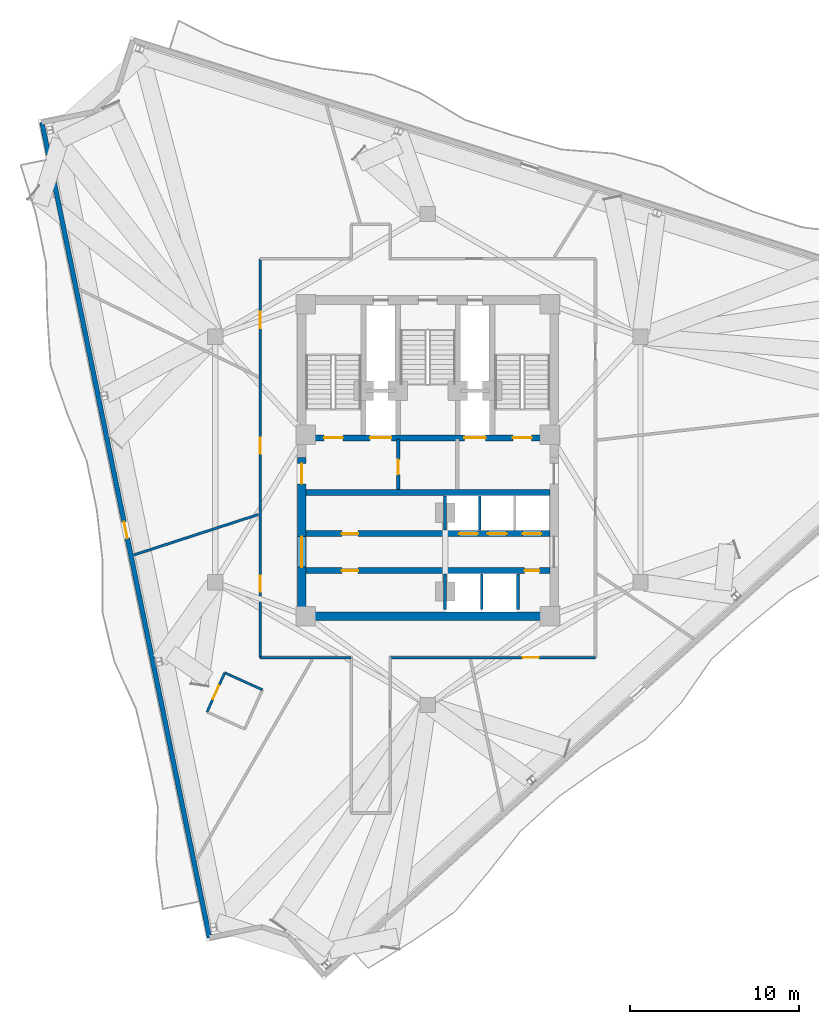
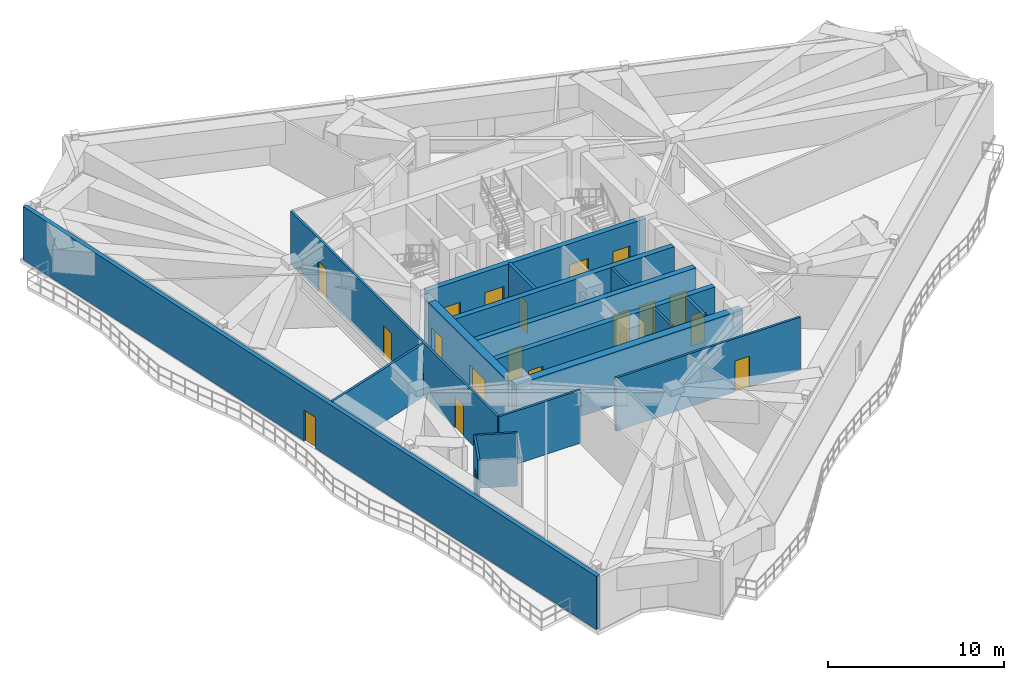
# One storey, part 6 of 12: 19 doors, 19 walls, 19 openings.
"""IFC4 building model written with IfcOpenShell, lengths in metres."""

import ifcopenshell
import ifcopenshell.guid

model = None  # the IFC model being written
_history = None  # IfcOwnerHistory: only IFC2X3 demands one
_inside = {}  # id of a spatial element -> (the spatial element, [elements in it])
_under = {}  # id of a project, library or spatial element -> (it, [spatial elements below it])
_declared = {}  # id of a project -> (the project, [libraries it declares])
_typed = {}  # id of a type object -> (the type object, [elements of that type])
_made_of = {}  # id of a material, layer set ... -> (it, [elements and type objects made of it])


def new_model(schema):
    """Start an empty IFC model of exactly this schema.

    Asked for "IFC4X3", IfcOpenShell would pick the latest addendum, in which some entities
    have other attributes; the version numbers below select the first issue.
    IFC2X3 requires an IfcOwnerHistory on every rooted entity: one is made here for all.
    """
    global model, _history
    if schema == "IFC4X3":
        model = ifcopenshell.file(schema_version=(4, 3, 0, 0))
    else:
        model = ifcopenshell.file(schema=schema)
    _inside.clear()
    _under.clear()
    _declared.clear()
    _typed.clear()
    _made_of.clear()
    _history = None
    if model.schema == "IFC2X3":
        org = make("IfcOrganization", Name="unknown")
        user = make(
            "IfcPersonAndOrganization",
            ThePerson=make("IfcPerson", FamilyName="unknown"),
            TheOrganization=org,
        )
        app = make(
            "IfcApplication",
            ApplicationDeveloper=org,
            Version="unknown",
            ApplicationFullName="unknown",
            ApplicationIdentifier="unknown",
        )
        _history = make(
            "IfcOwnerHistory",
            OwningUser=user,
            OwningApplication=app,
            ChangeAction="ADDED",
            CreationDate=0,
        )
    return model


def make(cls, **values):
    """One entity of the class cls with the attributes given. An attribute that is None is left unset."""
    return model.create_entity(
        cls, **{name: value for name, value in values.items() if value is not None}
    )


def rooted(cls, **values):
    """An entity with a GlobalId (a new one), such as an element, a storey or a relation."""
    return make(cls, GlobalId=ifcopenshell.guid.new(), OwnerHistory=_history, **values)


def si_unit(unit_type, name, prefix=None):
    """IfcSIUnit, for example si_unit("LENGTHUNIT", "METRE", prefix="MILLI")."""
    return make("IfcSIUnit", UnitType=unit_type, Prefix=prefix, Name=name)


def assignment(units):
    """IfcUnitAssignment: the units of a project."""
    return None if units is None else make("IfcUnitAssignment", Units=units)


def point(xyz):
    """IfcCartesianPoint."""
    return None if xyz is None else make("IfcCartesianPoint", Coordinates=xyz)


def direction(xyz):
    """IfcDirection."""
    return None if xyz is None else make("IfcDirection", DirectionRatios=xyz)


def frame(location, z_axis=None, x_axis=None):
    """IfcAxis2Placement3D, a coordinate frame: its origin and axes. An axis left out is left unset."""
    return make(
        "IfcAxis2Placement3D",
        Location=point(location),
        Axis=direction(z_axis),
        RefDirection=direction(x_axis),
    )


def frame_2d(location, x_axis=None):
    """IfcAxis2Placement2D, a coordinate frame in the plane: its origin and x axis."""
    return make(
        "IfcAxis2Placement2D", Location=point(location), RefDirection=direction(x_axis)
    )


def origin():
    """The frame at (0, 0, 0) with its axes left unset."""
    return frame((0.0, 0.0, 0.0))


def place(relative_to, where):
    """IfcLocalPlacement: puts the frame where relative to a parent placement (None: the world)."""
    return make(
        "IfcLocalPlacement", PlacementRelTo=relative_to, RelativePlacement=where
    )


def context(
    kind, dimensions, precision=None, world=None, true_north=None, identifier=None
):
    """IfcGeometricRepresentationContext, for example the 3D "Model" context."""
    return make(
        "IfcGeometricRepresentationContext",
        ContextIdentifier=identifier,
        ContextType=kind,
        CoordinateSpaceDimension=dimensions,
        Precision=precision,
        WorldCoordinateSystem=world,
        TrueNorth=true_north,
    )


def subcontext(parent, identifier, kind, view, scale=None):
    """IfcGeometricRepresentationSubContext, for example "Body" below "Model"."""
    return make(
        "IfcGeometricRepresentationSubContext",
        ContextIdentifier=identifier,
        ContextType=kind,
        ParentContext=parent,
        TargetScale=scale,
        TargetView=view,
    )


def project(units=None, contexts=None):
    """IfcProject with its units and contexts."""
    return rooted(
        "IfcProject",
        Name="project",
        RepresentationContexts=contexts,
        UnitsInContext=assignment(units),
    )


def spatial(cls, under=None, at=None, **own):
    """A site, building, storey or space (cls), placed at a placement, below another one or the project."""
    s = rooted(cls, ObjectPlacement=at, **own)
    if under is not None:
        _under.setdefault(under.id(), (under, []))[1].append(s)
    return s


def profile(cls, at=None, kind="AREA", **sizes):
    """A parametric profile (cls). Its sizes go by their IFC names, for example OverallWidth=200.0."""
    return make(cls, ProfileType=kind, Position=at, **sizes)


def rectangle(**sizes):
    """IfcRectangleProfileDef."""
    return profile("IfcRectangleProfileDef", **sizes)


def extrude(swept, where, along, depth):
    """IfcExtrudedAreaSolid: the profile swept, set in the frame where, extruded along a direction by depth."""
    return make(
        "IfcExtrudedAreaSolid",
        SweptArea=swept,
        Position=where,
        ExtrudedDirection=direction(along),
        Depth=depth,
    )


def shape(context_of_items, identifier, shape_type, items):
    """IfcShapeRepresentation: the items that make up one representation, for example the "Body"."""
    return make(
        "IfcShapeRepresentation",
        ContextOfItems=context_of_items,
        RepresentationIdentifier=identifier,
        RepresentationType=shape_type,
        Items=items,
    )


def material(Name=None, Category=None):
    """IfcMaterial."""
    return make("IfcMaterial", Name=Name, Category=Category)


def layer(
    of_material, thickness, ventilated=None, Name=None, Category=None, Priority=None
):
    """IfcMaterialLayer: one layer of a wall or slab, of a material (None: an air gap)."""
    return make(
        "IfcMaterialLayer",
        Material=of_material,
        LayerThickness=thickness,
        IsVentilated=ventilated,
        Name=Name,
        Category=Category,
        Priority=Priority,
    )


def layer_set(layers, Name=None):
    """IfcMaterialLayerSet."""
    return make("IfcMaterialLayerSet", MaterialLayers=layers, LayerSetName=Name)


def made_of(thing, what):
    """Note that an element or type object is made of a material, layer set ...; save() writes the relation."""
    if what is not None:
        _made_of.setdefault(what.id(), (what, []))[1].append(thing)
    return thing


def type_object(cls, material=None, **own):
    """A type object (cls), such as IfcWallType, which elements share."""
    return made_of(rooted(cls, **own), material)


def element(
    cls,
    number,
    at=None,
    inside=None,
    cuts=None,
    type_object=None,
    material=None,
    context=None,
    identifier="Body",
    shape_type=None,
    held_by="IfcProductDefinitionShape",
    body=None,
    shapes=None,
    **own,
):
    """One element of the class cls, such as IfcWall. Its Tag is "e" and its number.

    at: its placement. inside: the storey or other place that contains it. cuts: it is an
    opening in that element (IfcRelVoidsElement). A single representation is given by context,
    identifier, shape_type and body (its items); several are given by shapes. held_by: the class
    of the entity that holds the representations. save() writes the other relations.
    """
    e = rooted(cls, Tag="e%d" % number, ObjectPlacement=at, **own)
    if body is not None:
        shapes = [shape(context, identifier, shape_type, body)]
    if shapes is not None:
        e.Representation = make(held_by, Representations=shapes)
    if inside is not None:
        _inside.setdefault(inside.id(), (inside, []))[1].append(e)
    if cuts is not None:
        rooted(
            "IfcRelVoidsElement", RelatingBuildingElement=cuts, RelatedOpeningElement=e
        )
    if type_object is not None:
        _typed.setdefault(type_object.id(), (type_object, []))[1].append(e)
    return made_of(e, material)


def fill(opening, filler):
    """IfcRelFillsElement: the door or window that sits in an opening."""
    return rooted(
        "IfcRelFillsElement",
        RelatingOpeningElement=opening,
        RelatedBuildingElement=filler,
    )


def aggregate(whole, parts):
    """IfcRelAggregates: a whole, such as a stair, and the parts it consists of."""
    return rooted("IfcRelAggregates", RelatingObject=whole, RelatedObjects=parts)


def save(model, path):
    """Write the relations noted so far, then the file.

    IfcRelAggregates (storeys below a building ...), IfcRelContainedInSpatialStructure (elements
    in a storey), IfcRelDefinesByType, IfcRelAssociatesMaterial and IfcRelDeclares: one each for
    every whole, place, type object, material and project.
    """
    for whole, parts in _under.values():
        aggregate(whole, parts)
    for where, things in _inside.values():
        rooted(
            "IfcRelContainedInSpatialStructure",
            RelatedElements=things,
            RelatingStructure=where,
        )
    for kind, things in _typed.values():
        rooted("IfcRelDefinesByType", RelatedObjects=things, RelatingType=kind)
    for what, things in _made_of.values():
        rooted("IfcRelAssociatesMaterial", RelatedObjects=things, RelatingMaterial=what)
    for by, libraries in _declared.values():
        rooted("IfcRelDeclares", RelatingContext=by, RelatedDefinitions=libraries)
    model.write(path)


model = new_model("IFC4")

# Units and contexts
model_context = context("Model", 3, precision=1e-05, world=origin(), true_north=direction((0.0, 1.0)))
body_context = subcontext(model_context, "Body", "Model", "MODEL_VIEW")
ifc_project = project(units=[si_unit("LENGTHUNIT", "METRE"), si_unit("AREAUNIT", "SQUARE_METRE"), si_unit("VOLUMEUNIT", "CUBIC_METRE"), si_unit("PLANEANGLEUNIT", "RADIAN"), si_unit("MASSUNIT", "GRAM", prefix="KILO")], contexts=[model_context])

# Site, building, storey
site_placement = place(None, origin())
site = spatial("IfcSite", under=ifc_project, at=site_placement, CompositionType="ELEMENT")
building_placement = place(site_placement, origin())
building = spatial("IfcBuilding", under=site, at=building_placement, Name="Apsidion Concourse Tower", CompositionType="ELEMENT")
storey_placement = place(building_placement, frame((0.0, 0.0, 256.800048828125)))
storey = spatial("IfcBuildingStorey", under=building, at=storey_placement, Name="L60", CompositionType="ELEMENT", Elevation=256.800048828125)

# Wall, opening, door
ifc_material_1 = material(Name="Precast concrete C40/50", Category="concrete")
ifc_layer_1 = layer(ifc_material_1, 0.280029296875)
ifc_layer_set_1 = layer_set([ifc_layer_1], Name="Precast concrete C40/50")
wall_type_1 = type_object("IfcWallType", Name="WL-EXT-280", PredefinedType="STANDARD", material=ifc_layer_set_1)
wall_1_placement = place(storey_placement, frame((-12.893310546875, -28.2392578125, 0.0), z_axis=(0.0, 0.0, 1.0), x_axis=(-0.201426823496, 0.979503565474, 0.0)))
wall_1 = element("IfcWall", 1, at=wall_1_placement, inside=storey, type_object=wall_type_1, Name="L60 Precast Stone Facade Wall 09", PredefinedType="STANDARD", context=body_context, shape_type="SweptSolid", body=[
    extrude(rectangle(XDim=49.145263671875, YDim=0.280029296875, at=frame_2d((24.57275390625, 0.0))), origin(), (0.0, 0.0, 1.0), 3.699951171875),
])
opening_1_placement = place(wall_1_placement, frame((24.072509765625, 0.0, 0.0)))
opening_1 = element("IfcOpeningElement", 2, at=opening_1_placement, cuts=wall_1, Name="Opening D-T1L", PredefinedType="OPENING", context=body_context, shape_type="SweptSolid", body=[
    extrude(rectangle(XDim=1.0, YDim=2.14990234375, at=frame_2d((0.5, 1.074951171875))), frame((0.0, 0.14990234375, 0.0), z_axis=(0.0, -1.0, 0.0), x_axis=(1.0, 0.0, 0.0)), (0.0, 0.0, 1.0), 0.300048828125),
])
ifc_material_2 = material(Name="Anodised aluminium EN AW-6063 T6", Category="aluminium")
door_type_1 = type_object("IfcDoorType", Name="DR-TER-1022L", OperationType="SINGLE_SWING_LEFT", PredefinedType="DOOR", material=ifc_material_2)
door_1_placement = place(opening_1_placement, origin())
door_1 = element("IfcDoor", 3, at=door_1_placement, inside=storey, type_object=door_type_1, Name="L60 Balcony Access Door 1", OperationType="SINGLE_SWING_LEFT", OverallHeight=2.14990234375, OverallWidth=1.0, PredefinedType="DOOR", context=body_context, shape_type="SweptSolid", body=[
    extrude(rectangle(XDim=1.0, YDim=2.14990234375, at=frame_2d((0.5, 1.074951171875))), frame((0.0, 0.02490234375, 0.0), z_axis=(0.0, -1.0, 0.0), x_axis=(1.0, 0.0, 0.0)), (0.0, 0.0, 1.0), 0.050048828125),
])
fill(opening_1, door_1)

ifc_material_3 = material(Name="Gypsum plasterboard partition")
ifc_layer_2 = layer(ifc_material_3, 0.139892578125)
ifc_layer_set_2 = layer_set([ifc_layer_2], Name="Gypsum plasterboard partition")
wall_type_2 = type_object("IfcWallType", Name="WL-INT-PAR-140", PredefinedType="PARTITIONING", material=ifc_layer_set_2)
wall_2_placement = place(storey_placement, frame((-11.9951171875, -12.599609375, 0.0), z_axis=(0.0, 0.0, 1.0), x_axis=(-0.41149143055, -0.911413628702, 0.0)))
wall_2 = element("IfcWall", 4, at=wall_2_placement, inside=storey, type_object=wall_type_2, Name="L60 Interior Partition WL-L60-POD-OFAWC-S1", PredefinedType="PARTITIONING", context=body_context, shape_type="SweptSolid", body=[
    extrude(rectangle(XDim=2.5400390625, YDim=0.139892578125, at=frame_2d((1.27001953125, 0.0))), origin(), (0.0, 0.0, 1.0), 3.699951171875),
])
opening_2_placement = place(wall_2_placement, frame((0.830078125, 0.0, 0.0)))
opening_2 = element("IfcOpeningElement", 5, at=opening_2_placement, cuts=wall_2, Name="Opening D-03R", PredefinedType="OPENING", context=body_context, shape_type="SweptSolid", body=[
    extrude(rectangle(XDim=0.8798828125, YDim=2.10009765625, at=frame_2d((0.43994140625, 1.050048828125))), frame((0.0, 0.080078125, 0.0), z_axis=(0.0, -1.0, 0.0), x_axis=(1.0, 0.0, 0.0)), (0.0, 0.0, 1.0), 0.159912109375),
])
door_type_2 = type_object("IfcDoorType", Name="DR-INT-D03R", OperationType="SINGLE_SWING_RIGHT", PredefinedType="DOOR", material=ifc_material_2)
door_2_placement = place(opening_2_placement, origin())
door_2 = element("IfcDoor", 6, at=door_2_placement, inside=storey, type_object=door_type_2, Name="L60 Office Accessible WC Door OFAWC", OperationType="SINGLE_SWING_RIGHT", OverallHeight=2.10009765625, OverallWidth=0.8798828125, PredefinedType="DOOR", context=body_context, shape_type="SweptSolid", body=[
    extrude(rectangle(XDim=0.8798828125, YDim=2.10009765625, at=frame_2d((0.43994140625, 1.050048828125))), frame((0.0, 0.02490234375, 0.0), z_axis=(0.0, -1.0, 0.0), x_axis=(1.0, 0.0, 0.0)), (0.0, 0.0, 1.0), 0.050048828125),
])
fill(opening_2, door_2)

# Walls
wall_3_placement = place(storey_placement, frame((-9.771240234375, -13.603759765625, 0.0), z_axis=(0.0, 0.0, 1.0), x_axis=(-0.911398443398, 0.411525062872, 0.0)))
element("IfcWall", 7, at=wall_3_placement, inside=storey, type_object=wall_type_2, Name="L60 Interior Partition WL-L60-POD-OFAWC-S4", PredefinedType="PARTITIONING", context=body_context, shape_type="SweptSolid", body=[
    extrude(rectangle(XDim=2.440185546875, YDim=0.139892578125, at=frame_2d((1.22021484375, 0.0))), origin(), (0.0, 0.0, 1.0), 3.699951171875),
])
ifc_layer_3 = layer(ifc_material_3, 0.14990234375)
ifc_layer_set_3 = layer_set([ifc_layer_3], Name="Gypsum plasterboard partition")
wall_type_3 = type_object("IfcWallType", Name="WL-INT-PAR-150", PredefinedType="PARTITIONING", material=ifc_layer_set_3)
wall_4_placement = place(storey_placement, frame((3.074951171875, -4.179931640625, 0.0), z_axis=(0.0, 0.0, 1.0), x_axis=(0.0, 1.0, 0.0)))
element("IfcWall", 8, at=wall_4_placement, inside=storey, type_object=wall_type_3, Name="L60 Interior Partition WL-L60-B3DIV-1", PredefinedType="PARTITIONING", context=body_context, shape_type="SweptSolid", body=[
    extrude(rectangle(XDim=2.030029296875, YDim=0.14990234375, at=frame_2d((1.01513671875, 0.0))), origin(), (0.0, 0.0, 1.0), 3.699951171875),
])
wall_5_placement = place(storey_placement, frame((3.175048828125, -8.85009765625, 0.0), z_axis=(0.0, 0.0, 1.0), x_axis=(0.0, 1.0, 0.0)))
element("IfcWall", 9, at=wall_5_placement, inside=storey, type_object=wall_type_3, Name="L60 Interior Partition WL-L60-SHDIV-1", PredefinedType="PARTITIONING", context=body_context, shape_type="SweptSolid", body=[
    extrude(rectangle(XDim=2.080078125, YDim=0.14990234375, at=frame_2d((1.0400390625, 0.0))), origin(), (0.0, 0.0, 1.0), 3.699951171875),
])
wall_6_placement = place(storey_placement, frame((-4.530029296875, -11.699951171875, 0.0), z_axis=(0.0, 0.0, 1.0), x_axis=(-1.0, 0.0, 0.0)))
element("IfcWall", 10, at=wall_6_placement, inside=storey, type_object=wall_type_3, Name="L60 Interior Partition WL-L60-CORR-01", PredefinedType="PARTITIONING", context=body_context, shape_type="SweptSolid", body=[
    extrude(rectangle(XDim=5.369873046875, YDim=0.14990234375, at=frame_2d((2.68505859375, 0.0))), origin(), (0.0, 0.0, 1.0), 3.699951171875),
])

# Wall, openings, doors
wall_7_placement = place(storey_placement, frame((-9.89990234375, -11.699951171875, 0.0), z_axis=(0.0, 0.0, 1.0), x_axis=(0.0, 1.0, 0.0)))
wall_7 = element("IfcWall", 11, at=wall_7_placement, inside=storey, type_object=wall_type_3, Name="L60 Interior Partition WL-L60-CORR-02", PredefinedType="PARTITIONING", context=body_context, shape_type="SweptSolid", body=[
    extrude(rectangle(XDim=23.550048828125, YDim=0.14990234375, at=frame_2d((11.77490234375, 0.0))), origin(), (0.0, 0.0, 1.0), 3.699951171875),
])
opening_3_placement = place(wall_7_placement, frame((3.87939453125, 0.0, 0.0)))
opening_3 = element("IfcOpeningElement", 12, at=opening_3_placement, cuts=wall_7, Name="Opening D-01L", PredefinedType="OPENING", context=body_context, shape_type="SweptSolid", body=[
    extrude(rectangle(XDim=0.949951171875, YDim=2.14990234375, at=frame_2d((0.47509765625, 1.074951171875))), frame((0.0, 0.0849609375, 0.0), z_axis=(0.0, -1.0, 0.0), x_axis=(1.0, 0.0, 0.0)), (0.0, 0.0, 1.0), 0.169921875),
])
opening_4_placement = place(wall_7_placement, frame((19.460205078125, 0.0, 0.0)))
opening_4 = element("IfcOpeningElement", 13, at=opening_4_placement, cuts=wall_7, Name="Opening D-01L", PredefinedType="OPENING", context=body_context, shape_type="SweptSolid", body=[
    extrude(rectangle(XDim=0.949951171875, YDim=2.14990234375, at=frame_2d((0.47509765625, 1.074951171875))), frame((0.0, 0.0849609375, 0.0), z_axis=(0.0, -1.0, 0.0), x_axis=(1.0, 0.0, 0.0)), (0.0, 0.0, 1.0), 0.169921875),
])
opening_5_placement = place(wall_7_placement, frame((12.03955078125, 0.0, 0.0)))
opening_5 = element("IfcOpeningElement", 14, at=opening_5_placement, cuts=wall_7, Name="Opening D-01R", PredefinedType="OPENING", context=body_context, shape_type="SweptSolid", body=[
    extrude(rectangle(XDim=0.949951171875, YDim=2.14990234375, at=frame_2d((0.47509765625, 1.074951171875))), frame((0.0, 0.0849609375, 0.0), z_axis=(0.0, -1.0, 0.0), x_axis=(1.0, 0.0, 0.0)), (0.0, 0.0, 1.0), 0.169921875),
])
ifc_material_4 = material(Name="Brushed stainless steel 316", Category="steel")
door_type_3 = type_object("IfcDoorType", Name="DR-INT-D01L", OperationType="SINGLE_SWING_LEFT", PredefinedType="DOOR", material=ifc_material_4)
door_3_placement = place(opening_3_placement, origin())
door_3 = element("IfcDoor", 15, at=door_3_placement, inside=storey, type_object=door_type_3, Name="L60 Corridor Entry Door 01", OperationType="SINGLE_SWING_LEFT", OverallHeight=2.14990234375, OverallWidth=0.949951171875, PredefinedType="DOOR", context=body_context, shape_type="SweptSolid", body=[
    extrude(rectangle(XDim=0.949951171875, YDim=2.14990234375, at=frame_2d((0.47509765625, 1.074951171875))), frame((0.0, 0.02490234375, 0.0), z_axis=(0.0, -1.0, 0.0), x_axis=(1.0, 0.0, 0.0)), (0.0, 0.0, 1.0), 0.050048828125),
])
fill(opening_3, door_3)
door_4_placement = place(opening_4_placement, origin())
door_4 = element("IfcDoor", 16, at=door_4_placement, inside=storey, type_object=door_type_3, Name="L60 Corridor Entry Door 07", OperationType="SINGLE_SWING_LEFT", OverallHeight=2.14990234375, OverallWidth=0.949951171875, PredefinedType="DOOR", context=body_context, shape_type="SweptSolid", body=[
    extrude(rectangle(XDim=0.949951171875, YDim=2.14990234375, at=frame_2d((0.47509765625, 1.074951171875))), frame((0.0, 0.02490234375, 0.0), z_axis=(0.0, -1.0, 0.0), x_axis=(1.0, 0.0, 0.0)), (0.0, 0.0, 1.0), 0.050048828125),
])
fill(opening_4, door_4)
door_type_4 = type_object("IfcDoorType", Name="DR-INT-D01R", OperationType="SINGLE_SWING_RIGHT", PredefinedType="DOOR", material=ifc_material_4)
door_5_placement = place(opening_5_placement, origin())
door_5 = element("IfcDoor", 17, at=door_5_placement, inside=storey, type_object=door_type_4, Name="L60 Corridor Entry Door 08", OperationType="SINGLE_SWING_RIGHT", OverallHeight=2.14990234375, OverallWidth=0.949951171875, PredefinedType="DOOR", context=body_context, shape_type="SweptSolid", body=[
    extrude(rectangle(XDim=0.949951171875, YDim=2.14990234375, at=frame_2d((0.47509765625, 1.074951171875))), frame((0.0, 0.02490234375, 0.0), z_axis=(0.0, -1.0, 0.0), x_axis=(1.0, 0.0, 0.0)), (0.0, 0.0, 1.0), 0.050048828125),
])
fill(opening_5, door_5)

# Wall, opening, door
wall_8_placement = place(storey_placement, frame((9.89990234375, -11.699951171875, 0.0), z_axis=(0.0, 0.0, 1.0), x_axis=(-1.0, 0.0, 0.0)))
wall_8 = element("IfcWall", 18, at=wall_8_placement, inside=storey, type_object=wall_type_3, Name="L60 Interior Partition WL-L60-CORR-09", PredefinedType="PARTITIONING", context=body_context, shape_type="SweptSolid", body=[
    extrude(rectangle(XDim=12.119873046875, YDim=0.14990234375, at=frame_2d((6.06005859375, 0.0))), origin(), (0.0, 0.0, 1.0), 3.699951171875),
])
opening_6_placement = place(wall_8_placement, frame((3.35009765625, 0.0, 0.0)))
opening_6 = element("IfcOpeningElement", 19, at=opening_6_placement, cuts=wall_8, Name="Opening D-01L", PredefinedType="OPENING", context=body_context, shape_type="SweptSolid", body=[
    extrude(rectangle(XDim=0.949951171875, YDim=2.14990234375, at=frame_2d((0.47509765625, 1.074951171875))), frame((0.0, 0.0849609375, 0.0), z_axis=(0.0, -1.0, 0.0), x_axis=(1.0, 0.0, 0.0)), (0.0, 0.0, 1.0), 0.169921875),
])
door_6_placement = place(opening_6_placement, origin())
door_6 = element("IfcDoor", 20, at=door_6_placement, inside=storey, type_object=door_type_3, Name="L60 Corridor Entry Door 03", OperationType="SINGLE_SWING_LEFT", OverallHeight=2.14990234375, OverallWidth=0.949951171875, PredefinedType="DOOR", context=body_context, shape_type="SweptSolid", body=[
    extrude(rectangle(XDim=0.949951171875, YDim=2.14990234375, at=frame_2d((0.47509765625, 1.074951171875))), frame((0.0, 0.02490234375, 0.0), z_axis=(0.0, -1.0, 0.0), x_axis=(1.0, 0.0, 0.0)), (0.0, 0.0, 1.0), 0.050048828125),
])
fill(opening_6, door_6)

# Walls
wall_9_placement = place(storey_placement, frame((-10.0048828125, -3.250732421875, 0.0), z_axis=(0.0, 0.0, 1.0), x_axis=(-0.951051648604, -0.309031975187, 0.0)))
element("IfcWall", 21, at=wall_9_placement, inside=storey, type_object=wall_type_3, Name="L60 Interior Partition WL-L60-RAD-05-1", PredefinedType="PARTITIONING", context=body_context, shape_type="SweptSolid", body=[
    extrude(rectangle(XDim=7.755615234375, YDim=0.14990234375, at=frame_2d((3.8779296875, 0.0))), origin(), (0.0, 0.0, 1.0), 3.699951171875),
])
ifc_layer_4 = layer(ifc_material_3, 0.179931640625)
ifc_layer_set_4 = layer_set([ifc_layer_4], Name="Gypsum plasterboard partition")
wall_type_4 = type_object("IfcWallType", Name="WL-INT-PAR-180", PredefinedType="PARTITIONING", material=ifc_layer_set_4)
wall_10_placement = place(storey_placement, frame((1.02490234375, -4.179931640625, 0.0), z_axis=(0.0, 0.0, 1.0), x_axis=(0.0, 1.0, 0.0)))
element("IfcWall", 22, at=wall_10_placement, inside=storey, type_object=wall_type_4, Name="L60 Interior Partition WL-L60-B1END", PredefinedType="PARTITIONING", context=body_context, shape_type="SweptSolid", body=[
    extrude(rectangle(XDim=2.030029296875, YDim=0.179931640625, at=frame_2d((1.01513671875, 0.0))), origin(), (0.0, 0.0, 1.0), 2.748046875),
])
wall_11_placement = place(storey_placement, frame((1.02490234375, -8.85009765625, 0.0), z_axis=(0.0, 0.0, 1.0), x_axis=(0.0, 1.0, 0.0)))
element("IfcWall", 23, at=wall_11_placement, inside=storey, type_object=wall_type_4, Name="L60 Interior Partition WL-L60-B2END", PredefinedType="PARTITIONING", context=body_context, shape_type="SweptSolid", body=[
    extrude(rectangle(XDim=2.080078125, YDim=0.179931640625, at=frame_2d((1.0400390625, 0.0))), origin(), (0.0, 0.0, 1.0), 2.748046875),
])
wall_12_placement = place(storey_placement, frame((5.324951171875, -8.85009765625, 0.0), z_axis=(0.0, 0.0, 1.0), x_axis=(0.0, 1.0, 0.0)))
element("IfcWall", 24, at=wall_12_placement, inside=storey, type_object=wall_type_4, Name="L60 Interior Partition WL-L60-SHDIV-2", PredefinedType="PARTITIONING", context=body_context, shape_type="SweptSolid", body=[
    extrude(rectangle(XDim=2.080078125, YDim=0.179931640625, at=frame_2d((1.0400390625, 0.0))), origin(), (0.0, 0.0, 1.0), 3.699951171875),
])

# Wall, opening, door
ifc_layer_5 = layer(ifc_material_3, 0.199951171875)
ifc_layer_set_5 = layer_set([ifc_layer_5], Name="Gypsum plasterboard partition")
wall_type_5 = type_object("IfcWallType", Name="WL-INT-PAR-200", PredefinedType="PARTITIONING", material=ifc_layer_set_5)
wall_13_placement = place(storey_placement, frame((-1.739990234375, -1.780029296875, 0.0), z_axis=(0.0, 0.0, 1.0), x_axis=(0.0, 1.0, 0.0)))
wall_13 = element("IfcWall", 25, at=wall_13_placement, inside=storey, type_object=wall_type_5, Name="L60 Interior Partition WL-L60-FF1-E", PredefinedType="PARTITIONING", context=body_context, shape_type="SweptSolid", body=[
    extrude(rectangle(XDim=2.97998046875, YDim=0.199951171875, at=frame_2d((1.489990234375, 0.0))), origin(), (0.0, 0.0, 1.0), 3.699951171875),
])
opening_7_placement = place(wall_13_placement, frame((0.889892578125, 0.0, 0.0)))
opening_7 = element("IfcOpeningElement", 26, at=opening_7_placement, cuts=wall_13, Name="Opening D-05R", PredefinedType="OPENING", context=body_context, shape_type="SweptSolid", body=[
    extrude(rectangle(XDim=0.8798828125, YDim=2.14990234375, at=frame_2d((0.43994140625, 1.074951171875))), frame((0.0, 0.10986328125, 0.0), z_axis=(0.0, -1.0, 0.0), x_axis=(1.0, 0.0, 0.0)), (0.0, 0.0, 1.0), 0.219970703125),
])
door_type_5 = type_object("IfcDoorType", Name="DR-INT-D05R", OperationType="SINGLE_SWING_RIGHT", PredefinedType="DOOR", material=ifc_material_4)
door_7_placement = place(opening_7_placement, origin())
door_7 = element("IfcDoor", 27, at=door_7_placement, inside=storey, type_object=door_type_5, Name="L60 Core BMS Door", OperationType="SINGLE_SWING_RIGHT", OverallHeight=2.14990234375, OverallWidth=0.8798828125, PredefinedType="DOOR", context=body_context, shape_type="SweptSolid", body=[
    extrude(rectangle(XDim=0.8798828125, YDim=2.14990234375, at=frame_2d((0.43994140625, 1.074951171875))), frame((0.0, 0.02490234375, 0.0), z_axis=(0.0, -1.0, 0.0), x_axis=(1.0, 0.0, 0.0)), (0.0, 0.0, 1.0), 0.050048828125),
])
fill(opening_7, door_7)

# Wall, openings, doors
ifc_material_5 = material(Name="Concrete C50/60", Category="concrete")
ifc_layer_6 = layer(ifc_material_5, 0.35009765625)
ifc_layer_set_6 = layer_set([ifc_layer_6], Name="Concrete C50/60")
wall_type_6 = type_object("IfcWallType", Name="WL-SH-350", PredefinedType="SHEAR", material=ifc_layer_set_6)
wall_14_placement = place(storey_placement, frame((-7.199951171875, 1.27490234375, 0.0), z_axis=(0.0, 0.0, 1.0), x_axis=(1.0, 0.0, 0.0)))
wall_14 = element("IfcWall", 28, at=wall_14_placement, inside=storey, type_object=wall_type_6, Name="L60 Central Core Shear Wall M1", PredefinedType="SHEAR", context=body_context, shape_type="SweptSolid", body=[
    extrude(rectangle(XDim=14.39990234375, YDim=0.35009765625, at=frame_2d((7.199951171875, 0.0))), origin(), (0.0, 0.0, 1.0), 3.699951171875),
])
opening_8_placement = place(wall_14_placement, frame((3.794921875, 0.0, 0.0)))
opening_8 = element("IfcOpeningElement", 29, at=opening_8_placement, cuts=wall_14, Name="Opening LD-FF", PredefinedType="OPENING", context=body_context, shape_type="SweptSolid", body=[
    extrude(rectangle(XDim=1.25, YDim=2.25, at=frame_2d((0.625, 1.125))), frame((0.0, 0.18505859375, 0.0), z_axis=(0.0, -1.0, 0.0), x_axis=(1.0, 0.0, 0.0)), (0.0, 0.0, 1.0), 0.3701171875),
])
opening_9_placement = place(wall_14_placement, frame((9.35498046875, 0.0, 0.0)))
opening_9 = element("IfcOpeningElement", 30, at=opening_9_placement, cuts=wall_14, Name="Opening LD-FF", PredefinedType="OPENING", context=body_context, shape_type="SweptSolid", body=[
    extrude(rectangle(XDim=1.25, YDim=2.25, at=frame_2d((0.625, 1.125))), frame((0.0, 0.18505859375, 0.0), z_axis=(0.0, -1.0, 0.0), x_axis=(1.0, 0.0, 0.0)), (0.0, 0.0, 1.0), 0.3701171875),
])
opening_10_placement = place(wall_14_placement, frame((1.074951171875, 0.0, 0.0)))
opening_10 = element("IfcOpeningElement", 31, at=opening_10_placement, cuts=wall_14, Name="Opening D-STL", PredefinedType="OPENING", context=body_context, shape_type="SweptSolid", body=[
    extrude(rectangle(XDim=1.10009765625, YDim=2.14990234375, at=frame_2d((0.550048828125, 1.074951171875))), frame((0.0, 0.18505859375, 0.0), z_axis=(0.0, -1.0, 0.0), x_axis=(1.0, 0.0, 0.0)), (0.0, 0.0, 1.0), 0.3701171875),
])
opening_11_placement = place(wall_14_placement, frame((12.22509765625, 0.0, 0.0)))
opening_11 = element("IfcOpeningElement", 32, at=opening_11_placement, cuts=wall_14, Name="Opening D-STR", PredefinedType="OPENING", context=body_context, shape_type="SweptSolid", body=[
    extrude(rectangle(XDim=1.10009765625, YDim=2.14990234375, at=frame_2d((0.550048828125, 1.074951171875))), frame((0.0, 0.18505859375, 0.0), z_axis=(0.0, -1.0, 0.0), x_axis=(1.0, 0.0, 0.0)), (0.0, 0.0, 1.0), 0.3701171875),
])
door_type_6 = type_object("IfcDoorType", Name="DR-INT-ST1L", OperationType="SINGLE_SWING_LEFT", PredefinedType="DOOR", material=ifc_material_4)
door_8_placement = place(opening_10_placement, origin())
door_8 = element("IfcDoor", 33, at=door_8_placement, inside=storey, type_object=door_type_6, Name="L60 Core Exit Stair ST1 Door", OperationType="SINGLE_SWING_LEFT", OverallHeight=2.14990234375, OverallWidth=1.10009765625, PredefinedType="DOOR", context=body_context, shape_type="SweptSolid", body=[
    extrude(rectangle(XDim=1.10009765625, YDim=2.14990234375, at=frame_2d((0.550048828125, 1.074951171875))), frame((0.0, 0.02490234375, 0.0), z_axis=(0.0, -1.0, 0.0), x_axis=(1.0, 0.0, 0.0)), (0.0, 0.0, 1.0), 0.050048828125),
])
fill(opening_10, door_8)
door_type_7 = type_object("IfcDoorType", Name="DR-INT-ST1R", OperationType="SINGLE_SWING_RIGHT", PredefinedType="DOOR", material=ifc_material_4)
door_9_placement = place(opening_11_placement, origin())
door_9 = element("IfcDoor", 34, at=door_9_placement, inside=storey, type_object=door_type_7, Name="L60 Core Exit Stair ST2 Door", OperationType="SINGLE_SWING_RIGHT", OverallHeight=2.14990234375, OverallWidth=1.10009765625, PredefinedType="DOOR", context=body_context, shape_type="SweptSolid", body=[
    extrude(rectangle(XDim=1.10009765625, YDim=2.14990234375, at=frame_2d((0.550048828125, 1.074951171875))), frame((0.0, 0.02490234375, 0.0), z_axis=(0.0, -1.0, 0.0), x_axis=(1.0, 0.0, 0.0)), (0.0, 0.0, 1.0), 0.050048828125),
])
fill(opening_11, door_9)
door_type_8 = type_object("IfcDoorType", Name="DR-LD-FSAE", OperationType="DOUBLE_DOOR_SLIDING", PredefinedType="DOOR", material=ifc_material_4)
door_10_placement = place(opening_8_placement, origin())
door_10 = element("IfcDoor", 35, at=door_10_placement, inside=storey, type_object=door_type_8, Name="L60 Lift Landing Door FF1", OperationType="DOUBLE_DOOR_SLIDING", OverallHeight=2.25, OverallWidth=1.25, PredefinedType="DOOR", context=body_context, shape_type="SweptSolid", body=[
    extrude(rectangle(XDim=1.25, YDim=2.25, at=frame_2d((0.625, 1.125))), frame((0.0, 0.02490234375, 0.0), z_axis=(0.0, -1.0, 0.0), x_axis=(1.0, 0.0, 0.0)), (0.0, 0.0, 1.0), 0.050048828125),
])
fill(opening_8, door_10)
door_11_placement = place(opening_9_placement, origin())
door_11 = element("IfcDoor", 36, at=door_11_placement, inside=storey, type_object=door_type_8, Name="L60 Lift Landing Door FF2", OperationType="DOUBLE_DOOR_SLIDING", OverallHeight=2.25, OverallWidth=1.25, PredefinedType="DOOR", context=body_context, shape_type="SweptSolid", body=[
    extrude(rectangle(XDim=1.25, YDim=2.25, at=frame_2d((0.625, 1.125))), frame((0.0, 0.02490234375, 0.0), z_axis=(0.0, -1.0, 0.0), x_axis=(1.0, 0.0, 0.0)), (0.0, 0.0, 1.0), 0.050048828125),
])
fill(opening_9, door_11)

# Wall
wall_15_placement = place(storey_placement, frame((-7.199951171875, -1.949951171875, 0.0), z_axis=(0.0, 0.0, 1.0), x_axis=(1.0, 0.0, 0.0)))
element("IfcWall", 37, at=wall_15_placement, inside=storey, type_object=wall_type_6, Name="L60 Central Core Shear Wall M2", PredefinedType="SHEAR", context=body_context, shape_type="SweptSolid", body=[
    extrude(rectangle(XDim=14.39990234375, YDim=0.35009765625, at=frame_2d((7.199951171875, 0.0))), origin(), (0.0, 0.0, 1.0), 3.699951171875),
])

# Wall, openings, doors
wall_16_placement = place(storey_placement, frame((-7.199951171875, -4.3798828125, 0.0), z_axis=(0.0, 0.0, 1.0), x_axis=(1.0, 0.0, 0.0)))
wall_16 = element("IfcWall", 38, at=wall_16_placement, inside=storey, type_object=wall_type_6, Name="L60 Central Core Shear Wall LA", PredefinedType="SHEAR", context=body_context, shape_type="SweptSolid", body=[
    extrude(rectangle(XDim=14.39990234375, YDim=0.35009765625, at=frame_2d((7.199951171875, 0.0))), origin(), (0.0, 0.0, 1.0), 3.699951171875),
])
opening_12_placement = place(wall_16_placement, frame((9.050048828125, 0.0, 0.0)))
opening_12 = element("IfcOpeningElement", 39, at=opening_12_placement, cuts=wall_16, Name="Opening LD-P1", PredefinedType="OPENING", context=body_context, shape_type="SweptSolid", body=[
    extrude(rectangle(XDim=1.10009765625, YDim=2.199951171875, at=frame_2d((0.550048828125, 1.10009765625))), frame((0.0, 0.18505859375, 0.0), z_axis=(0.0, -1.0, 0.0), x_axis=(1.0, 0.0, 0.0)), (0.0, 0.0, 1.0), 0.3701171875),
])
opening_13_placement = place(wall_16_placement, frame((10.75, 0.0, 0.0)))
opening_13 = element("IfcOpeningElement", 40, at=opening_13_placement, cuts=wall_16, Name="Opening LD-P1", PredefinedType="OPENING", context=body_context, shape_type="SweptSolid", body=[
    extrude(rectangle(XDim=1.10009765625, YDim=2.199951171875, at=frame_2d((0.550048828125, 1.10009765625))), frame((0.0, 0.18505859375, 0.0), z_axis=(0.0, -1.0, 0.0), x_axis=(1.0, 0.0, 0.0)), (0.0, 0.0, 1.0), 0.3701171875),
])
opening_14_placement = place(wall_16_placement, frame((12.800048828125, 0.0, 0.0)))
opening_14 = element("IfcOpeningElement", 41, at=opening_14_placement, cuts=wall_16, Name="Opening LD-P1", PredefinedType="OPENING", context=body_context, shape_type="SweptSolid", body=[
    extrude(rectangle(XDim=1.10009765625, YDim=2.199951171875, at=frame_2d((0.550048828125, 1.10009765625))), frame((0.0, 0.18505859375, 0.0), z_axis=(0.0, -1.0, 0.0), x_axis=(1.0, 0.0, 0.0)), (0.0, 0.0, 1.0), 0.3701171875),
])
opening_15_placement = place(wall_16_placement, frame((2.125, 0.0, 0.0)))
opening_15 = element("IfcOpeningElement", 42, at=opening_15_placement, cuts=wall_16, Name="Opening D-04L", PredefinedType="OPENING", context=body_context, shape_type="SweptSolid", body=[
    extrude(rectangle(XDim=0.949951171875, YDim=2.14990234375, at=frame_2d((0.47509765625, 1.074951171875))), frame((0.0, 0.18505859375, 0.0), z_axis=(0.0, -1.0, 0.0), x_axis=(1.0, 0.0, 0.0)), (0.0, 0.0, 1.0), 0.3701171875),
])
door_type_9 = type_object("IfcDoorType", Name="DR-INT-D04L", OperationType="SINGLE_SWING_LEFT", PredefinedType="DOOR", material=ifc_material_4)
door_12_placement = place(opening_15_placement, origin())
door_12 = element("IfcDoor", 43, at=door_12_placement, inside=storey, type_object=door_type_9, Name="L60 Tenant Archive and Print Room Door", OperationType="SINGLE_SWING_LEFT", OverallHeight=2.14990234375, OverallWidth=0.949951171875, PredefinedType="DOOR", context=body_context, shape_type="SweptSolid", body=[
    extrude(rectangle(XDim=0.949951171875, YDim=2.14990234375, at=frame_2d((0.47509765625, 1.074951171875))), frame((0.0, 0.02490234375, 0.0), z_axis=(0.0, -1.0, 0.0), x_axis=(1.0, 0.0, 0.0)), (0.0, 0.0, 1.0), 0.050048828125),
])
fill(opening_15, door_12)
door_type_10 = type_object("IfcDoorType", Name="DR-LD-PASS", OperationType="DOUBLE_DOOR_SLIDING", PredefinedType="DOOR", material=ifc_material_4)
door_13_placement = place(opening_12_placement, origin())
door_13 = element("IfcDoor", 44, at=door_13_placement, inside=storey, type_object=door_type_10, Name="L60 Lift Landing Door P9", OperationType="DOUBLE_DOOR_SLIDING", OverallHeight=2.199951171875, OverallWidth=1.10009765625, PredefinedType="DOOR", context=body_context, shape_type="SweptSolid", body=[
    extrude(rectangle(XDim=1.10009765625, YDim=2.199951171875, at=frame_2d((0.550048828125, 1.10009765625))), frame((0.0, 0.02490234375, 0.0), z_axis=(0.0, -1.0, 0.0), x_axis=(1.0, 0.0, 0.0)), (0.0, 0.0, 1.0), 0.050048828125),
])
fill(opening_12, door_13)
door_14_placement = place(opening_13_placement, origin())
door_14 = element("IfcDoor", 45, at=door_14_placement, inside=storey, type_object=door_type_10, Name="L60 Lift Landing Door P10", OperationType="DOUBLE_DOOR_SLIDING", OverallHeight=2.199951171875, OverallWidth=1.10009765625, PredefinedType="DOOR", context=body_context, shape_type="SweptSolid", body=[
    extrude(rectangle(XDim=1.10009765625, YDim=2.199951171875, at=frame_2d((0.550048828125, 1.10009765625))), frame((0.0, 0.02490234375, 0.0), z_axis=(0.0, -1.0, 0.0), x_axis=(1.0, 0.0, 0.0)), (0.0, 0.0, 1.0), 0.050048828125),
])
fill(opening_13, door_14)
door_15_placement = place(opening_14_placement, origin())
door_15 = element("IfcDoor", 46, at=door_15_placement, inside=storey, type_object=door_type_10, Name="L60 Lift Landing Door P11", OperationType="DOUBLE_DOOR_SLIDING", OverallHeight=2.199951171875, OverallWidth=1.10009765625, PredefinedType="DOOR", context=body_context, shape_type="SweptSolid", body=[
    extrude(rectangle(XDim=1.10009765625, YDim=2.199951171875, at=frame_2d((0.550048828125, 1.10009765625))), frame((0.0, 0.02490234375, 0.0), z_axis=(0.0, -1.0, 0.0), x_axis=(1.0, 0.0, 0.0)), (0.0, 0.0, 1.0), 0.050048828125),
])
fill(opening_14, door_15)

wall_17_placement = place(storey_placement, frame((-7.199951171875, -6.570068359375, 0.0), z_axis=(0.0, 0.0, 1.0), x_axis=(1.0, 0.0, 0.0)))
wall_17 = element("IfcWall", 47, at=wall_17_placement, inside=storey, type_object=wall_type_6, Name="L60 Central Core Shear Wall LB", PredefinedType="SHEAR", context=body_context, shape_type="SweptSolid", body=[
    extrude(rectangle(XDim=14.39990234375, YDim=0.35009765625, at=frame_2d((7.199951171875, 0.0))), origin(), (0.0, 0.0, 1.0), 3.699951171875),
])
opening_16_placement = place(wall_17_placement, frame((2.125, 0.0, 0.0)))
opening_16 = element("IfcOpeningElement", 48, at=opening_16_placement, cuts=wall_17, Name="Opening D-04R", PredefinedType="OPENING", context=body_context, shape_type="SweptSolid", body=[
    extrude(rectangle(XDim=0.949951171875, YDim=2.14990234375, at=frame_2d((0.47509765625, 1.074951171875))), frame((0.0, 0.18505859375, 0.0), z_axis=(0.0, -1.0, 0.0), x_axis=(1.0, 0.0, 0.0)), (0.0, 0.0, 1.0), 0.3701171875),
])
opening_17_placement = place(wall_17_placement, frame((12.909912109375, 0.0, 0.0)))
opening_17 = element("IfcOpeningElement", 49, at=opening_17_placement, cuts=wall_17, Name="Opening D-05L", PredefinedType="OPENING", context=body_context, shape_type="SweptSolid", body=[
    extrude(rectangle(XDim=0.8798828125, YDim=2.14990234375, at=frame_2d((0.43994140625, 1.074951171875))), frame((0.0, 0.18505859375, 0.0), z_axis=(0.0, -1.0, 0.0), x_axis=(1.0, 0.0, 0.0)), (0.0, 0.0, 1.0), 0.3701171875),
])
door_type_11 = type_object("IfcDoorType", Name="DR-INT-D04R", OperationType="SINGLE_SWING_RIGHT", PredefinedType="DOOR", material=ifc_material_4)
door_16_placement = place(opening_16_placement, origin())
door_16 = element("IfcDoor", 50, at=door_16_placement, inside=storey, type_object=door_type_11, Name="L60 Executive Catering Pantry Door", OperationType="SINGLE_SWING_RIGHT", OverallHeight=2.14990234375, OverallWidth=0.949951171875, PredefinedType="DOOR", context=body_context, shape_type="SweptSolid", body=[
    extrude(rectangle(XDim=0.949951171875, YDim=2.14990234375, at=frame_2d((0.47509765625, 1.074951171875))), frame((0.0, 0.02490234375, 0.0), z_axis=(0.0, -1.0, 0.0), x_axis=(1.0, 0.0, 0.0)), (0.0, 0.0, 1.0), 0.050048828125),
])
fill(opening_16, door_16)
door_type_12 = type_object("IfcDoorType", Name="DR-INT-D05L", OperationType="SINGLE_SWING_LEFT", PredefinedType="DOOR", material=ifc_material_4)
door_17_placement = place(opening_17_placement, origin())
door_17 = element("IfcDoor", 51, at=door_17_placement, inside=storey, type_object=door_type_12, Name="L60 Cleaners Store Door", OperationType="SINGLE_SWING_LEFT", OverallHeight=2.14990234375, OverallWidth=0.8798828125, PredefinedType="DOOR", context=body_context, shape_type="SweptSolid", body=[
    extrude(rectangle(XDim=0.8798828125, YDim=2.14990234375, at=frame_2d((0.43994140625, 1.074951171875))), frame((0.0, 0.02490234375, 0.0), z_axis=(0.0, -1.0, 0.0), x_axis=(1.0, 0.0, 0.0)), (0.0, 0.0, 1.0), 0.050048828125),
])
fill(opening_17, door_17)

ifc_layer_7 = layer(ifc_material_5, 0.5)
ifc_layer_set_7 = layer_set([ifc_layer_7], Name="Concrete C50/60")
wall_type_7 = type_object("IfcWallType", Name="WL-SH-500", PredefinedType="SHEAR", material=ifc_layer_set_7)
wall_18_placement = place(storey_placement, frame((-7.449951171875, -9.0, 0.0), z_axis=(0.0, 0.0, 1.0), x_axis=(0.0, 1.0, 0.0)))
wall_18 = element("IfcWall", 52, at=wall_18_placement, inside=storey, type_object=wall_type_7, Name="L60 Central Core Shear Wall WS", PredefinedType="SHEAR", context=body_context, shape_type="SweptSolid", body=[
    extrude(rectangle(XDim=9.10009765625, YDim=0.5, at=frame_2d((4.550048828125, 0.0))), origin(), (0.0, 0.0, 1.0), 3.699951171875),
])
opening_18_placement = place(wall_18_placement, frame((2.639892578125, 0.0, 0.0)))
opening_18 = element("IfcOpeningElement", 53, at=opening_18_placement, cuts=wall_18, Name="Opening D-06D", PredefinedType="OPENING", context=body_context, shape_type="SweptSolid", body=[
    extrude(rectangle(XDim=1.800048828125, YDim=2.199951171875, at=frame_2d((0.89990234375, 1.10009765625))), frame((0.0, 0.260009765625, 0.0), z_axis=(0.0, -1.0, 0.0), x_axis=(1.0, 0.0, 0.0)), (0.0, 0.0, 1.0), 0.52001953125),
])
opening_19_placement = place(wall_18_placement, frame((7.550048828125, 0.0, 0.0)))
opening_19 = element("IfcOpeningElement", 54, at=opening_19_placement, cuts=wall_18, Name="Opening D-FFL", PredefinedType="OPENING", context=body_context, shape_type="SweptSolid", body=[
    extrude(rectangle(XDim=1.199951171875, YDim=2.14990234375, at=frame_2d((0.60009765625, 1.074951171875))), frame((0.0, 0.260009765625, 0.0), z_axis=(0.0, -1.0, 0.0), x_axis=(1.0, 0.0, 0.0)), (0.0, 0.0, 1.0), 0.52001953125),
])
door_type_13 = type_object("IfcDoorType", Name="DR-INT-D06D", OperationType="DOUBLE_DOOR_SINGLE_SWING", PredefinedType="DOOR", material=ifc_material_4)
door_18_placement = place(opening_18_placement, origin())
door_18 = element("IfcDoor", 55, at=door_18_placement, inside=storey, type_object=door_type_13, Name="L60 Passenger Lift Lobby WS Portal Door", OperationType="DOUBLE_DOOR_SINGLE_SWING", OverallHeight=2.199951171875, OverallWidth=1.800048828125, PredefinedType="DOOR", context=body_context, shape_type="SweptSolid", body=[
    extrude(rectangle(XDim=1.800048828125, YDim=2.199951171875, at=frame_2d((0.89990234375, 1.10009765625))), frame((0.0, 0.02490234375, 0.0), z_axis=(0.0, -1.0, 0.0), x_axis=(1.0, 0.0, 0.0)), (0.0, 0.0, 1.0), 0.050048828125),
])
fill(opening_18, door_18)
door_type_14 = type_object("IfcDoorType", Name="DR-INT-FFL", OperationType="SINGLE_SWING_LEFT", PredefinedType="DOOR", material=ifc_material_4)
door_19_placement = place(opening_19_placement, origin())
door_19 = element("IfcDoor", 56, at=door_19_placement, inside=storey, type_object=door_type_14, Name="L60 Firefighting Lift Lobby FF1 Door", OperationType="SINGLE_SWING_LEFT", OverallHeight=2.14990234375, OverallWidth=1.199951171875, PredefinedType="DOOR", context=body_context, shape_type="SweptSolid", body=[
    extrude(rectangle(XDim=1.199951171875, YDim=2.14990234375, at=frame_2d((0.60009765625, 1.074951171875))), frame((0.0, 0.02490234375, 0.0), z_axis=(0.0, -1.0, 0.0), x_axis=(1.0, 0.0, 0.0)), (0.0, 0.0, 1.0), 0.050048828125),
])
fill(opening_19, door_19)

# Wall
wall_19_placement = place(storey_placement, frame((-7.449951171875, -9.25, 0.0), z_axis=(0.0, 0.0, 1.0), x_axis=(1.0, 0.0, 0.0)))
element("IfcWall", 57, at=wall_19_placement, inside=storey, type_object=wall_type_7, Name="L60 Central Core Shear Wall S", PredefinedType="SHEAR", context=body_context, shape_type="SweptSolid", body=[
    extrude(rectangle(XDim=14.89990234375, YDim=0.5, at=frame_2d((7.449951171875, 0.0))), origin(), (0.0, 0.0, 1.0), 3.699951171875),
])

save(model, "model.ifc")
